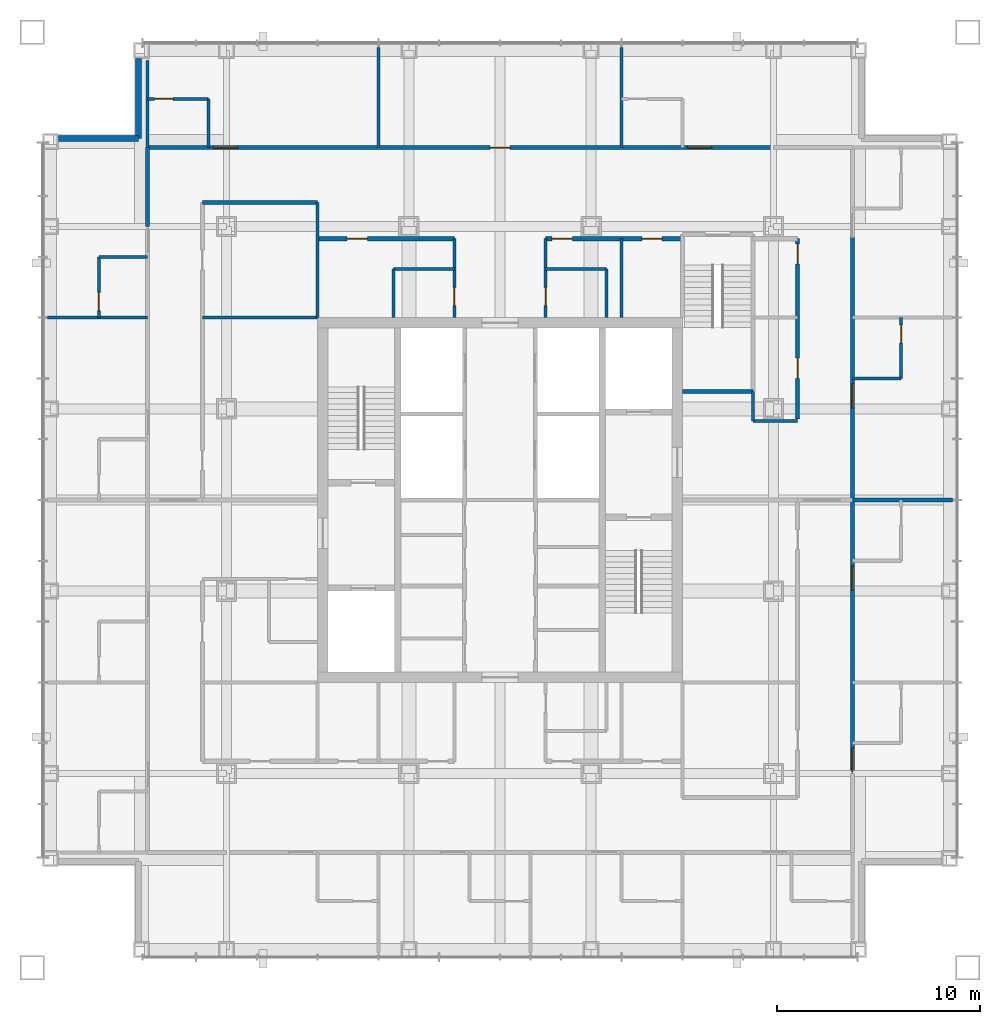
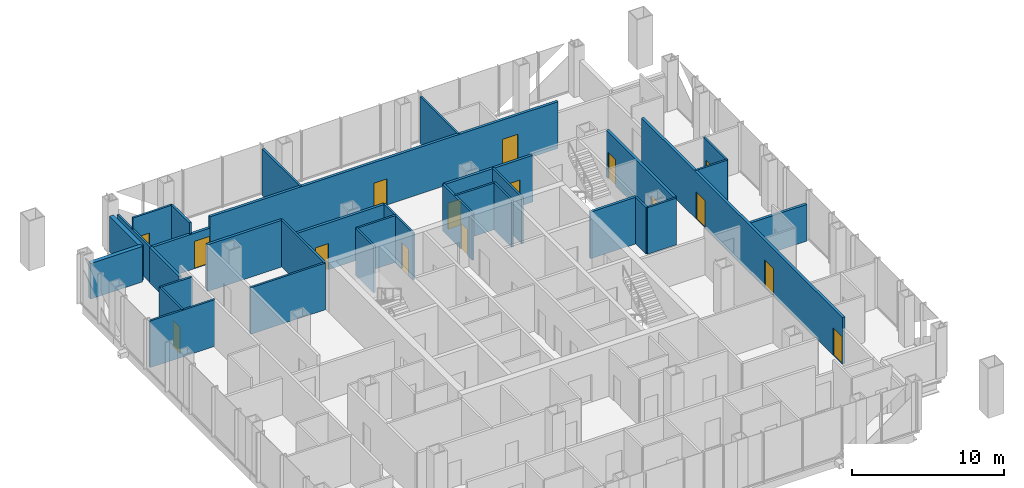
# One storey, part 9 of 11: 33 walls, 16 doors, 16 openings.
"""IFC4 building model written with IfcOpenShell, lengths in metres."""

import ifcopenshell
import ifcopenshell.guid

model = None  # the IFC model being written
_history = None  # IfcOwnerHistory: only IFC2X3 demands one
_inside = {}  # id of a spatial element -> (the spatial element, [elements in it])
_under = {}  # id of a project, library or spatial element -> (it, [spatial elements below it])
_declared = {}  # id of a project -> (the project, [libraries it declares])
_typed = {}  # id of a type object -> (the type object, [elements of that type])
_made_of = {}  # id of a material, layer set ... -> (it, [elements and type objects made of it])


def new_model(schema):
    """Start an empty IFC model of exactly this schema.

    Asked for "IFC4X3", IfcOpenShell would pick the latest addendum, in which some entities
    have other attributes; the version numbers below select the first issue.
    IFC2X3 requires an IfcOwnerHistory on every rooted entity: one is made here for all.
    """
    global model, _history
    if schema == "IFC4X3":
        model = ifcopenshell.file(schema_version=(4, 3, 0, 0))
    else:
        model = ifcopenshell.file(schema=schema)
    _inside.clear()
    _under.clear()
    _declared.clear()
    _typed.clear()
    _made_of.clear()
    _history = None
    if model.schema == "IFC2X3":
        org = make("IfcOrganization", Name="unknown")
        user = make(
            "IfcPersonAndOrganization",
            ThePerson=make("IfcPerson", FamilyName="unknown"),
            TheOrganization=org,
        )
        app = make(
            "IfcApplication",
            ApplicationDeveloper=org,
            Version="unknown",
            ApplicationFullName="unknown",
            ApplicationIdentifier="unknown",
        )
        _history = make(
            "IfcOwnerHistory",
            OwningUser=user,
            OwningApplication=app,
            ChangeAction="ADDED",
            CreationDate=0,
        )
    return model


def make(cls, **values):
    """One entity of the class cls with the attributes given. An attribute that is None is left unset."""
    return model.create_entity(
        cls, **{name: value for name, value in values.items() if value is not None}
    )


def rooted(cls, **values):
    """An entity with a GlobalId (a new one), such as an element, a storey or a relation."""
    return make(cls, GlobalId=ifcopenshell.guid.new(), OwnerHistory=_history, **values)


def si_unit(unit_type, name, prefix=None):
    """IfcSIUnit, for example si_unit("LENGTHUNIT", "METRE", prefix="MILLI")."""
    return make("IfcSIUnit", UnitType=unit_type, Prefix=prefix, Name=name)


def assignment(units):
    """IfcUnitAssignment: the units of a project."""
    return None if units is None else make("IfcUnitAssignment", Units=units)


def point(xyz):
    """IfcCartesianPoint."""
    return None if xyz is None else make("IfcCartesianPoint", Coordinates=xyz)


def direction(xyz):
    """IfcDirection."""
    return None if xyz is None else make("IfcDirection", DirectionRatios=xyz)


def frame(location, z_axis=None, x_axis=None):
    """IfcAxis2Placement3D, a coordinate frame: its origin and axes. An axis left out is left unset."""
    return make(
        "IfcAxis2Placement3D",
        Location=point(location),
        Axis=direction(z_axis),
        RefDirection=direction(x_axis),
    )


def frame_2d(location, x_axis=None):
    """IfcAxis2Placement2D, a coordinate frame in the plane: its origin and x axis."""
    return make(
        "IfcAxis2Placement2D", Location=point(location), RefDirection=direction(x_axis)
    )


def origin():
    """The frame at (0, 0, 0) with its axes left unset."""
    return frame((0.0, 0.0, 0.0))


def place(relative_to, where):
    """IfcLocalPlacement: puts the frame where relative to a parent placement (None: the world)."""
    return make(
        "IfcLocalPlacement", PlacementRelTo=relative_to, RelativePlacement=where
    )


def context(
    kind, dimensions, precision=None, world=None, true_north=None, identifier=None
):
    """IfcGeometricRepresentationContext, for example the 3D "Model" context."""
    return make(
        "IfcGeometricRepresentationContext",
        ContextIdentifier=identifier,
        ContextType=kind,
        CoordinateSpaceDimension=dimensions,
        Precision=precision,
        WorldCoordinateSystem=world,
        TrueNorth=true_north,
    )


def subcontext(parent, identifier, kind, view, scale=None):
    """IfcGeometricRepresentationSubContext, for example "Body" below "Model"."""
    return make(
        "IfcGeometricRepresentationSubContext",
        ContextIdentifier=identifier,
        ContextType=kind,
        ParentContext=parent,
        TargetScale=scale,
        TargetView=view,
    )


def project(units=None, contexts=None):
    """IfcProject with its units and contexts."""
    return rooted(
        "IfcProject",
        Name="project",
        RepresentationContexts=contexts,
        UnitsInContext=assignment(units),
    )


def spatial(cls, under=None, at=None, **own):
    """A site, building, storey or space (cls), placed at a placement, below another one or the project."""
    s = rooted(cls, ObjectPlacement=at, **own)
    if under is not None:
        _under.setdefault(under.id(), (under, []))[1].append(s)
    return s


def profile(cls, at=None, kind="AREA", **sizes):
    """A parametric profile (cls). Its sizes go by their IFC names, for example OverallWidth=200.0."""
    return make(cls, ProfileType=kind, Position=at, **sizes)


def rectangle(**sizes):
    """IfcRectangleProfileDef."""
    return profile("IfcRectangleProfileDef", **sizes)


def extrude(swept, where, along, depth):
    """IfcExtrudedAreaSolid: the profile swept, set in the frame where, extruded along a direction by depth."""
    return make(
        "IfcExtrudedAreaSolid",
        SweptArea=swept,
        Position=where,
        ExtrudedDirection=direction(along),
        Depth=depth,
    )


def shape(context_of_items, identifier, shape_type, items):
    """IfcShapeRepresentation: the items that make up one representation, for example the "Body"."""
    return make(
        "IfcShapeRepresentation",
        ContextOfItems=context_of_items,
        RepresentationIdentifier=identifier,
        RepresentationType=shape_type,
        Items=items,
    )


def material(Name=None, Category=None):
    """IfcMaterial."""
    return make("IfcMaterial", Name=Name, Category=Category)


def layer(
    of_material, thickness, ventilated=None, Name=None, Category=None, Priority=None
):
    """IfcMaterialLayer: one layer of a wall or slab, of a material (None: an air gap)."""
    return make(
        "IfcMaterialLayer",
        Material=of_material,
        LayerThickness=thickness,
        IsVentilated=ventilated,
        Name=Name,
        Category=Category,
        Priority=Priority,
    )


def layer_set(layers, Name=None):
    """IfcMaterialLayerSet."""
    return make("IfcMaterialLayerSet", MaterialLayers=layers, LayerSetName=Name)


def made_of(thing, what):
    """Note that an element or type object is made of a material, layer set ...; save() writes the relation."""
    if what is not None:
        _made_of.setdefault(what.id(), (what, []))[1].append(thing)
    return thing


def type_object(cls, material=None, **own):
    """A type object (cls), such as IfcWallType, which elements share."""
    return made_of(rooted(cls, **own), material)


def element(
    cls,
    number,
    at=None,
    inside=None,
    cuts=None,
    type_object=None,
    material=None,
    context=None,
    identifier="Body",
    shape_type=None,
    held_by="IfcProductDefinitionShape",
    body=None,
    shapes=None,
    **own,
):
    """One element of the class cls, such as IfcWall. Its Tag is "e" and its number.

    at: its placement. inside: the storey or other place that contains it. cuts: it is an
    opening in that element (IfcRelVoidsElement). A single representation is given by context,
    identifier, shape_type and body (its items); several are given by shapes. held_by: the class
    of the entity that holds the representations. save() writes the other relations.
    """
    e = rooted(cls, Tag="e%d" % number, ObjectPlacement=at, **own)
    if body is not None:
        shapes = [shape(context, identifier, shape_type, body)]
    if shapes is not None:
        e.Representation = make(held_by, Representations=shapes)
    if inside is not None:
        _inside.setdefault(inside.id(), (inside, []))[1].append(e)
    if cuts is not None:
        rooted(
            "IfcRelVoidsElement", RelatingBuildingElement=cuts, RelatedOpeningElement=e
        )
    if type_object is not None:
        _typed.setdefault(type_object.id(), (type_object, []))[1].append(e)
    return made_of(e, material)


def fill(opening, filler):
    """IfcRelFillsElement: the door or window that sits in an opening."""
    return rooted(
        "IfcRelFillsElement",
        RelatingOpeningElement=opening,
        RelatedBuildingElement=filler,
    )


def aggregate(whole, parts):
    """IfcRelAggregates: a whole, such as a stair, and the parts it consists of."""
    return rooted("IfcRelAggregates", RelatingObject=whole, RelatedObjects=parts)


def save(model, path):
    """Write the relations noted so far, then the file.

    IfcRelAggregates (storeys below a building ...), IfcRelContainedInSpatialStructure (elements
    in a storey), IfcRelDefinesByType, IfcRelAssociatesMaterial and IfcRelDeclares: one each for
    every whole, place, type object, material and project.
    """
    for whole, parts in _under.values():
        aggregate(whole, parts)
    for where, things in _inside.values():
        rooted(
            "IfcRelContainedInSpatialStructure",
            RelatedElements=things,
            RelatingStructure=where,
        )
    for kind, things in _typed.values():
        rooted("IfcRelDefinesByType", RelatedObjects=things, RelatingType=kind)
    for what, things in _made_of.values():
        rooted("IfcRelAssociatesMaterial", RelatedObjects=things, RelatingMaterial=what)
    for by, libraries in _declared.values():
        rooted("IfcRelDeclares", RelatingContext=by, RelatedDefinitions=libraries)
    model.write(path)


model = new_model("IFC4")

# Units and contexts
model_context = context("Model", 3, precision=1e-05, world=origin(), true_north=direction((0.0, 1.0)))
body_context = subcontext(model_context, "Body", "Model", "MODEL_VIEW")
ifc_project = project(units=[si_unit("LENGTHUNIT", "METRE"), si_unit("AREAUNIT", "SQUARE_METRE"), si_unit("VOLUMEUNIT", "CUBIC_METRE"), si_unit("PLANEANGLEUNIT", "RADIAN"), si_unit("MASSUNIT", "GRAM", prefix="KILO")], contexts=[model_context])

# Site, building, storey
site_placement = place(None, origin())
site = spatial("IfcSite", under=ifc_project, at=site_placement, CompositionType="ELEMENT")
building_placement = place(site_placement, origin())
building = spatial("IfcBuilding", under=site, at=building_placement, Name="Malebo Sky Hospital", CompositionType="ELEMENT")
storey_placement = place(building_placement, frame((0.0, 0.0, 201.0)))
storey = spatial("IfcBuildingStorey", under=building, at=storey_placement, Name="L48", CompositionType="ELEMENT", Elevation=201.0)

# Wall, opening, door
ifc_material_1 = material(Name="Gypsum board on steel studs", Category="steel")
ifc_layer_1 = layer(ifc_material_1, 0.199951171875)
ifc_layer_set_1 = layer_set([ifc_layer_1], Name="CORRIDOR WALL 200")
wall_type_1 = type_object("IfcWallType", Name="CORRIDOR WALL 200", PredefinedType="PARTITIONING", material=ifc_layer_set_1)
wall_1_placement = place(storey_placement, frame((42.60009765625, 79.39990234375, 0.0), z_axis=(0.0, 0.0, 1.0), x_axis=(1.0, 0.0, 0.0)))
wall_1 = element("IfcWall", 1, at=wall_1_placement, inside=storey, type_object=wall_type_1, Name="Corridor Wall 200 NCO", PredefinedType="PARTITIONING", context=body_context, shape_type="SweptSolid", body=[
    extrude(rectangle(XDim=4.449951171875, YDim=0.199951171875, at=frame_2d((2.22509765625, 0.0))), origin(), (0.0, 0.0, 1.0), 2.85009765625),
])
opening_1_placement = place(wall_1_placement, frame((3.25, 0.0, 0.0)))
opening_1 = element("IfcOpeningElement", 2, at=opening_1_placement, cuts=wall_1, Name="Opening D01", PredefinedType="OPENING", context=body_context, shape_type="SweptSolid", body=[
    extrude(rectangle(XDim=1.199951171875, YDim=2.199951171875, at=frame_2d((0.60009765625, 1.10009765625))), frame((0.0, 0.10986328125, 0.0), z_axis=(0.0, -1.0, 0.0), x_axis=(1.0, 0.0, 0.0)), (0.0, 0.0, 1.0), 0.219970703125),
])
ifc_material_2 = material(Name="Hardwood-faced door leaf in steel frame", Category="steel")
door_type_1 = type_object("IfcDoorType", Name="BED DOOR 1200", OperationType="SINGLE_SWING_LEFT", PredefinedType="DOOR", material=ifc_material_2)
door_1_placement = place(opening_1_placement, origin())
door_1 = element("IfcDoor", 3, at=door_1_placement, inside=storey, type_object=door_type_1, Name="Birthing room door", OperationType="SINGLE_SWING_LEFT", OverallHeight=2.199951171875, OverallWidth=1.199951171875, PredefinedType="DOOR", context=body_context, shape_type="SweptSolid", body=[
    extrude(rectangle(XDim=1.199951171875, YDim=2.199951171875, at=frame_2d((0.60009765625, 1.10009765625))), frame((0.0, 0.02490234375, 0.0), z_axis=(0.0, -1.0, 0.0), x_axis=(1.0, 0.0, 0.0)), (0.0, 0.0, 1.0), 0.050048828125),
])
fill(opening_1, door_1)

# Wall, openings, doors
wall_2_placement = place(storey_placement, frame((47.050048828125, 79.39990234375, 0.0), z_axis=(0.0, 0.0, 1.0), x_axis=(1.0, 0.0, 0.0)))
wall_2 = element("IfcWall", 4, at=wall_2_placement, inside=storey, type_object=wall_type_1, Name="Corridor Wall 200 NCO", PredefinedType="PARTITIONING", context=body_context, shape_type="SweptSolid", body=[
    extrude(rectangle(XDim=26.449951171875, YDim=0.199951171875, at=frame_2d((13.22509765625, 0.0))), origin(), (0.0, 0.0, 1.0), 3.75),
])
opening_2_placement = place(wall_2_placement, frame((12.449951171875, 0.0, 0.0)))
opening_2 = element("IfcOpeningElement", 5, at=opening_2_placement, cuts=wall_2, Name="Opening D03", PredefinedType="OPENING", context=body_context, shape_type="SweptSolid", body=[
    extrude(rectangle(XDim=1.0, YDim=2.10009765625, at=frame_2d((0.5, 1.050048828125))), frame((0.0, 0.10986328125, 0.0), z_axis=(0.0, -1.0, 0.0), x_axis=(1.0, 0.0, 0.0)), (0.0, 0.0, 1.0), 0.219970703125),
])
opening_3_placement = place(wall_2_placement, frame((22.199951171875, 0.0, 0.0)))
opening_3 = element("IfcOpeningElement", 6, at=opening_3_placement, cuts=wall_2, Name="Opening D01", PredefinedType="OPENING", context=body_context, shape_type="SweptSolid", body=[
    extrude(rectangle(XDim=1.199951171875, YDim=2.199951171875, at=frame_2d((0.60009765625, 1.10009765625))), frame((0.0, 0.10986328125, 0.0), z_axis=(0.0, -1.0, 0.0), x_axis=(1.0, 0.0, 0.0)), (0.0, 0.0, 1.0), 0.219970703125),
])
door_2_placement = place(opening_3_placement, origin())
door_2 = element("IfcDoor", 7, at=door_2_placement, inside=storey, type_object=door_type_1, Name="Birthing room door", OperationType="SINGLE_SWING_LEFT", OverallHeight=2.199951171875, OverallWidth=1.199951171875, PredefinedType="DOOR", context=body_context, shape_type="SweptSolid", body=[
    extrude(rectangle(XDim=1.199951171875, YDim=2.199951171875, at=frame_2d((0.60009765625, 1.10009765625))), frame((0.0, 0.02490234375, 0.0), z_axis=(0.0, -1.0, 0.0), x_axis=(1.0, 0.0, 0.0)), (0.0, 0.0, 1.0), 0.050048828125),
])
fill(opening_3, door_2)
door_type_2 = type_object("IfcDoorType", Name="ROOM DOOR 1000", OperationType="SINGLE_SWING_LEFT", PredefinedType="DOOR", material=ifc_material_2)
door_3_placement = place(opening_2_placement, origin())
door_3 = element("IfcDoor", 8, at=door_3_placement, inside=storey, type_object=door_type_2, Name="Patient lounge door", OperationType="SINGLE_SWING_LEFT", OverallHeight=2.10009765625, OverallWidth=1.0, PredefinedType="DOOR", context=body_context, shape_type="SweptSolid", body=[
    extrude(rectangle(XDim=1.0, YDim=2.10009765625, at=frame_2d((0.5, 1.050048828125))), frame((0.0, 0.02490234375, 0.0), z_axis=(0.0, -1.0, 0.0), x_axis=(1.0, 0.0, 0.0)), (0.0, 0.0, 1.0), 0.050048828125),
])
fill(opening_2, door_3)

# Wall
wall_3_placement = place(storey_placement, frame((45.300048828125, 76.699951171875, 0.0), z_axis=(0.0, 0.0, 1.0), x_axis=(1.0, 0.0, 0.0)))
element("IfcWall", 9, at=wall_3_placement, inside=storey, type_object=wall_type_1, Name="Corridor Wall 200 NCIK", PredefinedType="PARTITIONING", context=body_context, shape_type="SweptSolid", body=[
    extrude(rectangle(XDim=5.699951171875, YDim=0.199951171875, at=frame_2d((2.85009765625, 0.0))), origin(), (0.0, 0.0, 1.0), 3.75),
])

# Wall, opening, door
wall_4_placement = place(storey_placement, frame((51.0, 74.89990234375, 0.0), z_axis=(0.0, 0.0, 1.0), x_axis=(1.0, 0.0, 0.0)))
wall_4 = element("IfcWall", 10, at=wall_4_placement, inside=storey, type_object=wall_type_1, Name="Corridor Wall 200 NCI1", PredefinedType="PARTITIONING", context=body_context, shape_type="SweptSolid", body=[
    extrude(rectangle(XDim=6.75, YDim=0.199951171875, at=frame_2d((3.375, 0.0))), origin(), (0.0, 0.0, 1.0), 3.75),
])
opening_4_placement = place(wall_4_placement, frame((1.449951171875, 0.0, 0.0)))
opening_4 = element("IfcOpeningElement", 11, at=opening_4_placement, cuts=wall_4, Name="Opening D03", PredefinedType="OPENING", context=body_context, shape_type="SweptSolid", body=[
    extrude(rectangle(XDim=1.0, YDim=2.10009765625, at=frame_2d((0.5, 1.050048828125))), frame((0.0, 0.10986328125, 0.0), z_axis=(0.0, -1.0, 0.0), x_axis=(1.0, 0.0, 0.0)), (0.0, 0.0, 1.0), 0.219970703125),
])
door_4_placement = place(opening_4_placement, origin())
door_4 = element("IfcDoor", 12, at=door_4_placement, inside=storey, type_object=door_type_2, Name="Neonatal resuscitation room door", OperationType="SINGLE_SWING_LEFT", OverallHeight=2.10009765625, OverallWidth=1.0, PredefinedType="DOOR", context=body_context, shape_type="SweptSolid", body=[
    extrude(rectangle(XDim=1.0, YDim=2.10009765625, at=frame_2d((0.5, 1.050048828125))), frame((0.0, 0.02490234375, 0.0), z_axis=(0.0, -1.0, 0.0), x_axis=(1.0, 0.0, 0.0)), (0.0, 0.0, 1.0), 0.050048828125),
])
fill(opening_4, door_4)

# Wall, openings, doors
wall_5_placement = place(storey_placement, frame((62.25, 74.89990234375, 0.0), z_axis=(0.0, 0.0, 1.0), x_axis=(1.0, 0.0, 0.0)))
wall_5 = element("IfcWall", 13, at=wall_5_placement, inside=storey, type_object=wall_type_1, Name="Corridor Wall 200 NCI2", PredefinedType="PARTITIONING", context=body_context, shape_type="SweptSolid", body=[
    extrude(rectangle(XDim=6.75, YDim=0.199951171875, at=frame_2d((3.375, 0.0))), origin(), (0.0, 0.0, 1.0), 3.75),
])
opening_5_placement = place(wall_5_placement, frame((0.324951171875, 0.0, 0.0)))
opening_5 = element("IfcOpeningElement", 14, at=opening_5_placement, cuts=wall_5, Name="Opening D03", PredefinedType="OPENING", context=body_context, shape_type="SweptSolid", body=[
    extrude(rectangle(XDim=1.0, YDim=2.10009765625, at=frame_2d((0.5, 1.050048828125))), frame((0.0, 0.10986328125, 0.0), z_axis=(0.0, -1.0, 0.0), x_axis=(1.0, 0.0, 0.0)), (0.0, 0.0, 1.0), 0.219970703125),
])
opening_6_placement = place(wall_5_placement, frame((4.75, 0.0, 0.0)))
opening_6 = element("IfcOpeningElement", 15, at=opening_6_placement, cuts=wall_5, Name="Opening D03", PredefinedType="OPENING", context=body_context, shape_type="SweptSolid", body=[
    extrude(rectangle(XDim=1.0, YDim=2.10009765625, at=frame_2d((0.5, 1.050048828125))), frame((0.0, 0.10986328125, 0.0), z_axis=(0.0, -1.0, 0.0), x_axis=(1.0, 0.0, 0.0)), (0.0, 0.0, 1.0), 0.219970703125),
])
door_5_placement = place(opening_5_placement, origin())
door_5 = element("IfcDoor", 16, at=door_5_placement, inside=storey, type_object=door_type_2, Name="Medication room door", OperationType="SINGLE_SWING_LEFT", OverallHeight=2.10009765625, OverallWidth=1.0, PredefinedType="DOOR", context=body_context, shape_type="SweptSolid", body=[
    extrude(rectangle(XDim=1.0, YDim=2.10009765625, at=frame_2d((0.5, 1.050048828125))), frame((0.0, 0.02490234375, 0.0), z_axis=(0.0, -1.0, 0.0), x_axis=(1.0, 0.0, 0.0)), (0.0, 0.0, 1.0), 0.050048828125),
])
fill(opening_5, door_5)
door_6_placement = place(opening_6_placement, origin())
door_6 = element("IfcDoor", 17, at=door_6_placement, inside=storey, type_object=door_type_2, Name="Dirty utility room door", OperationType="SINGLE_SWING_RIGHT", OverallHeight=2.10009765625, OverallWidth=1.0, PredefinedType="DOOR", context=body_context, shape_type="SweptSolid", body=[
    extrude(rectangle(XDim=1.0, YDim=2.10009765625, at=frame_2d((0.5, 1.050048828125))), frame((0.0, 0.02490234375, 0.0), z_axis=(0.0, -1.0, 0.0), x_axis=(1.0, 0.0, 0.0)), (0.0, 0.0, 1.0), 0.050048828125),
])
fill(opening_6, door_6)

# Wall
wall_6_placement = place(storey_placement, frame((42.60009765625, 75.5, 0.0), z_axis=(0.0, 0.0, 1.0), x_axis=(0.0, 1.0, 0.0)))
element("IfcWall", 18, at=wall_6_placement, inside=storey, type_object=wall_type_1, Name="Corridor Wall 200 WCO", PredefinedType="PARTITIONING", context=body_context, shape_type="SweptSolid", body=[
    extrude(rectangle(XDim=3.89990234375, YDim=0.199951171875, at=frame_2d((1.949951171875, 0.0))), origin(), (0.0, 0.0, 1.0), 2.85009765625),
])

# Wall, openings, doors
wall_7_placement = place(storey_placement, frame((77.39990234375, 74.949951171875, 0.0), z_axis=(0.0, 0.0, 1.0), x_axis=(0.0, -1.0, 0.0)))
wall_7 = element("IfcWall", 19, at=wall_7_placement, inside=storey, type_object=wall_type_1, Name="Corridor Wall 200 ECO", PredefinedType="PARTITIONING", context=body_context, shape_type="SweptSolid", body=[
    extrude(rectangle(XDim=26.449951171875, YDim=0.199951171875, at=frame_2d((13.22509765625, 0.0))), origin(), (0.0, 0.0, 1.0), 3.75),
])
opening_7_placement = place(wall_7_placement, frame((7.199951171875, 0.0, 0.0)))
opening_7 = element("IfcOpeningElement", 20, at=opening_7_placement, cuts=wall_7, Name="Opening D01", PredefinedType="OPENING", context=body_context, shape_type="SweptSolid", body=[
    extrude(rectangle(XDim=1.199951171875, YDim=2.199951171875, at=frame_2d((0.60009765625, 1.10009765625))), frame((0.0, 0.10986328125, 0.0), z_axis=(0.0, -1.0, 0.0), x_axis=(1.0, 0.0, 0.0)), (0.0, 0.0, 1.0), 0.219970703125),
])
opening_8_placement = place(wall_7_placement, frame((16.199951171875, 0.0, 0.0)))
opening_8 = element("IfcOpeningElement", 21, at=opening_8_placement, cuts=wall_7, Name="Opening D01", PredefinedType="OPENING", context=body_context, shape_type="SweptSolid", body=[
    extrude(rectangle(XDim=1.199951171875, YDim=2.199951171875, at=frame_2d((0.60009765625, 1.10009765625))), frame((0.0, 0.10986328125, 0.0), z_axis=(0.0, -1.0, 0.0), x_axis=(1.0, 0.0, 0.0)), (0.0, 0.0, 1.0), 0.219970703125),
])
opening_9_placement = place(wall_7_placement, frame((25.199951171875, 0.0, 0.0)))
opening_9 = element("IfcOpeningElement", 22, at=opening_9_placement, cuts=wall_7, Name="Opening D01", PredefinedType="OPENING", context=body_context, shape_type="SweptSolid", body=[
    extrude(rectangle(XDim=1.199951171875, YDim=2.199951171875, at=frame_2d((0.60009765625, 1.10009765625))), frame((0.0, 0.10986328125, 0.0), z_axis=(0.0, -1.0, 0.0), x_axis=(1.0, 0.0, 0.0)), (0.0, 0.0, 1.0), 0.219970703125),
])
door_7_placement = place(opening_7_placement, origin())
door_7 = element("IfcDoor", 23, at=door_7_placement, inside=storey, type_object=door_type_1, Name="Birthing room door", OperationType="SINGLE_SWING_LEFT", OverallHeight=2.199951171875, OverallWidth=1.199951171875, PredefinedType="DOOR", context=body_context, shape_type="SweptSolid", body=[
    extrude(rectangle(XDim=1.199951171875, YDim=2.199951171875, at=frame_2d((0.60009765625, 1.10009765625))), frame((0.0, 0.02490234375, 0.0), z_axis=(0.0, -1.0, 0.0), x_axis=(1.0, 0.0, 0.0)), (0.0, 0.0, 1.0), 0.050048828125),
])
fill(opening_7, door_7)
door_8_placement = place(opening_8_placement, origin())
door_8 = element("IfcDoor", 24, at=door_8_placement, inside=storey, type_object=door_type_1, Name="Birthing room door", OperationType="SINGLE_SWING_LEFT", OverallHeight=2.199951171875, OverallWidth=1.199951171875, PredefinedType="DOOR", context=body_context, shape_type="SweptSolid", body=[
    extrude(rectangle(XDim=1.199951171875, YDim=2.199951171875, at=frame_2d((0.60009765625, 1.10009765625))), frame((0.0, 0.02490234375, 0.0), z_axis=(0.0, -1.0, 0.0), x_axis=(1.0, 0.0, 0.0)), (0.0, 0.0, 1.0), 0.050048828125),
])
fill(opening_8, door_8)
door_9_placement = place(opening_9_placement, origin())
door_9 = element("IfcDoor", 25, at=door_9_placement, inside=storey, type_object=door_type_1, Name="Birthing room door", OperationType="SINGLE_SWING_LEFT", OverallHeight=2.199951171875, OverallWidth=1.199951171875, PredefinedType="DOOR", context=body_context, shape_type="SweptSolid", body=[
    extrude(rectangle(XDim=1.199951171875, YDim=2.199951171875, at=frame_2d((0.60009765625, 1.10009765625))), frame((0.0, 0.02490234375, 0.0), z_axis=(0.0, -1.0, 0.0), x_axis=(1.0, 0.0, 0.0)), (0.0, 0.0, 1.0), 0.050048828125),
])
fill(opening_9, door_9)

wall_8_placement = place(storey_placement, frame((74.699951171875, 74.89990234375, 0.0), z_axis=(0.0, 0.0, 1.0), x_axis=(0.0, -1.0, 0.0)))
wall_8 = element("IfcWall", 26, at=wall_8_placement, inside=storey, type_object=wall_type_1, Name="Corridor Wall 200 ECI1", PredefinedType="PARTITIONING", context=body_context, shape_type="SweptSolid", body=[
    extrude(rectangle(XDim=8.89990234375, YDim=0.199951171875, at=frame_2d((4.449951171875, 0.0))), origin(), (0.0, 0.0, 1.0), 3.75),
])
opening_10_placement = place(wall_8_placement, frame((0.25, 0.0, 0.0)))
opening_10 = element("IfcOpeningElement", 27, at=opening_10_placement, cuts=wall_8, Name="Opening D03", PredefinedType="OPENING", context=body_context, shape_type="SweptSolid", body=[
    extrude(rectangle(XDim=1.0, YDim=2.10009765625, at=frame_2d((0.5, 1.050048828125))), frame((0.0, 0.10986328125, 0.0), z_axis=(0.0, -1.0, 0.0), x_axis=(1.0, 0.0, 0.0)), (0.0, 0.0, 1.0), 0.219970703125),
])
opening_11_placement = place(wall_8_placement, frame((5.89990234375, 0.0, 0.0)))
opening_11 = element("IfcOpeningElement", 28, at=opening_11_placement, cuts=wall_8, Name="Opening D03", PredefinedType="OPENING", context=body_context, shape_type="SweptSolid", body=[
    extrude(rectangle(XDim=1.0, YDim=2.10009765625, at=frame_2d((0.5, 1.050048828125))), frame((0.0, 0.10986328125, 0.0), z_axis=(0.0, -1.0, 0.0), x_axis=(1.0, 0.0, 0.0)), (0.0, 0.0, 1.0), 0.219970703125),
])
door_10_placement = place(opening_10_placement, origin())
door_10 = element("IfcDoor", 29, at=door_10_placement, inside=storey, type_object=door_type_2, Name="Treatment room door", OperationType="SINGLE_SWING_LEFT", OverallHeight=2.10009765625, OverallWidth=1.0, PredefinedType="DOOR", context=body_context, shape_type="SweptSolid", body=[
    extrude(rectangle(XDim=1.0, YDim=2.10009765625, at=frame_2d((0.5, 1.050048828125))), frame((0.0, 0.02490234375, 0.0), z_axis=(0.0, -1.0, 0.0), x_axis=(1.0, 0.0, 0.0)), (0.0, 0.0, 1.0), 0.050048828125),
])
fill(opening_10, door_10)
door_11_placement = place(opening_11_placement, origin())
door_11 = element("IfcDoor", 30, at=door_11_placement, inside=storey, type_object=door_type_2, Name="Interview room door", OperationType="SINGLE_SWING_LEFT", OverallHeight=2.10009765625, OverallWidth=1.0, PredefinedType="DOOR", context=body_context, shape_type="SweptSolid", body=[
    extrude(rectangle(XDim=1.0, YDim=2.10009765625, at=frame_2d((0.5, 1.050048828125))), frame((0.0, 0.02490234375, 0.0), z_axis=(0.0, -1.0, 0.0), x_axis=(1.0, 0.0, 0.0)), (0.0, 0.0, 1.0), 0.050048828125),
])
fill(opening_11, door_11)

# Walls
ifc_material_3 = material(Name="Anodised aluminium rainscreen on steel framing", Category="steel")
ifc_layer_2 = layer(ifc_material_3, 0.300048828125)
ifc_layer_set_2 = layer_set([ifc_layer_2], Name="NOTCH RAINSCREEN WALL 300")
wall_type_2 = type_object("IfcWallType", Name="NOTCH RAINSCREEN WALL 300", PredefinedType="ELEMENTEDWALL", material=ifc_layer_set_2)
for number, where, z_axis, x_axis, name in (
    (31, (38.199951171875, 79.85009765625, 0.0), (0.0, 0.0, 1.0), (1.0, 0.0, 0.0), "Notch rainscreen wall W1 L48"),
    (32, (42.14990234375, 79.85009765625, 0.0), (0.0, 0.0, 1.0), (0.0, 1.0, 0.0), "Notch rainscreen wall W2 L48"),
):
    element("IfcWall", number, at=place(storey_placement, frame(where, z_axis=z_axis, x_axis=x_axis)), inside=storey, type_object=wall_type_2, Name=name, PredefinedType="ELEMENTEDWALL", context=body_context, shape_type="SweptSolid", body=[
        extrude(rectangle(XDim=3.949951171875, YDim=0.300048828125, at=frame_2d((1.97509765625, 0.0))), origin(), (0.0, 0.0, 1.0), 2.85009765625),
    ])
ifc_layer_3 = layer(ifc_material_1, 0.14990234375)
ifc_layer_set_3 = layer_set([ifc_layer_3], Name="PARTITION 150")
wall_type_3 = type_object("IfcWallType", Name="PARTITION 150", PredefinedType="PARTITIONING", material=ifc_layer_set_3)
for number, where, z_axis, x_axis, name in (
    (33, (54.0, 79.39990234375, 0.0), (0.0, 0.0, 1.0), (0.0, 1.0, 0.0), "Partition 150 NP-6.0"),
    (34, (66.0, 79.39990234375, 0.0), (0.0, 0.0, 1.0), (0.0, 1.0, 0.0), "Partition 150 NP+6.0"),
):
    element("IfcWall", number, at=place(storey_placement, frame(where, z_axis=z_axis, x_axis=x_axis)), inside=storey, type_object=wall_type_3, Name=name, PredefinedType="PARTITIONING", context=body_context, shape_type="SweptSolid", body=[
        extrude(rectangle(XDim=4.9501953125, YDim=0.14990234375, at=frame_2d((2.47509765625, 0.0))), origin(), (0.0, 0.0, 1.0), 3.75),
    ])
wall_9_placement = place(storey_placement, frame((42.60009765625, 79.39990234375, 0.0), z_axis=(0.0, 0.0, 1.0), x_axis=(0.0, 1.0, 0.0)))
element("IfcWall", 35, at=wall_9_placement, inside=storey, type_object=wall_type_3, Name="Partition 150 NP0", PredefinedType="PARTITIONING", context=body_context, shape_type="SweptSolid", body=[
    extrude(rectangle(XDim=4.300048828125, YDim=0.14990234375, at=frame_2d((2.14990234375, 0.0))), origin(), (0.0, 0.0, 1.0), 2.85009765625),
])

# Wall, opening, door
wall_10_placement = place(storey_placement, frame((42.60009765625, 81.800048828125, 0.0), z_axis=(0.0, 0.0, 1.0), x_axis=(1.0, 0.0, 0.0)))
wall_10 = element("IfcWall", 36, at=wall_10_placement, inside=storey, type_object=wall_type_3, Name="Partition 150 NE0F", PredefinedType="PARTITIONING", context=body_context, shape_type="SweptSolid", body=[
    extrude(rectangle(XDim=3.0, YDim=0.14990234375, at=frame_2d((1.5, 0.0))), origin(), (0.0, 0.0, 1.0), 3.75),
])
opening_12_placement = place(wall_10_placement, frame((0.35009765625, 0.0, 0.0)))
opening_12 = element("IfcOpeningElement", 37, at=opening_12_placement, cuts=wall_10, Name="Opening D02", PredefinedType="OPENING", context=body_context, shape_type="SweptSolid", body=[
    extrude(rectangle(XDim=0.89990234375, YDim=2.10009765625, at=frame_2d((0.449951171875, 1.050048828125))), frame((0.0, 0.0849609375, 0.0), z_axis=(0.0, -1.0, 0.0), x_axis=(1.0, 0.0, 0.0)), (0.0, 0.0, 1.0), 0.169921875),
])
door_type_3 = type_object("IfcDoorType", Name="EN-SUITE DOOR 900", OperationType="SINGLE_SWING_LEFT", PredefinedType="DOOR", material=ifc_material_2)
door_12_placement = place(opening_12_placement, origin())
door_12 = element("IfcDoor", 38, at=door_12_placement, inside=storey, type_object=door_type_3, Name="En-suite door", OperationType="SINGLE_SWING_LEFT", OverallHeight=2.10009765625, OverallWidth=0.89990234375, PredefinedType="DOOR", context=body_context, shape_type="SweptSolid", body=[
    extrude(rectangle(XDim=0.89990234375, YDim=2.10009765625, at=frame_2d((0.449951171875, 1.050048828125))), frame((0.0, 0.02490234375, 0.0), z_axis=(0.0, -1.0, 0.0), x_axis=(1.0, 0.0, 0.0)), (0.0, 0.0, 1.0), 0.050048828125),
])
fill(opening_12, door_12)

# Walls
wall_11_placement = place(storey_placement, frame((45.60009765625, 79.39990234375, 0.0), z_axis=(0.0, 0.0, 1.0), x_axis=(0.0, 1.0, 0.0)))
element("IfcWall", 39, at=wall_11_placement, inside=storey, type_object=wall_type_3, Name="Partition 150 NE0S", PredefinedType="PARTITIONING", context=body_context, shape_type="SweptSolid", body=[
    extrude(rectangle(XDim=2.400146484375, YDim=0.14990234375, at=frame_2d((1.2001953125, 0.0))), origin(), (0.0, 0.0, 1.0), 3.75),
])
wall_12_placement = place(storey_placement, frame((51.0, 71.0, 0.0), z_axis=(0.0, 0.0, 1.0), x_axis=(0.0, 1.0, 0.0)))
element("IfcWall", 40, at=wall_12_placement, inside=storey, type_object=wall_type_3, Name="Partition 150 NSP0", PredefinedType="PARTITIONING", context=body_context, shape_type="SweptSolid", body=[
    extrude(rectangle(XDim=5.699951171875, YDim=0.14990234375, at=frame_2d((2.85009765625, 0.0))), origin(), (0.0, 0.0, 1.0), 3.75),
])

# Wall, opening, door
wall_13_placement = place(storey_placement, frame((57.75, 71.0, 0.0), z_axis=(0.0, 0.0, 1.0), x_axis=(0.0, 1.0, 0.0)))
wall_13 = element("IfcWall", 41, at=wall_13_placement, inside=storey, type_object=wall_type_3, Name="Partition 150 NSPA", PredefinedType="PARTITIONING", context=body_context, shape_type="SweptSolid", body=[
    extrude(rectangle(XDim=3.89990234375, YDim=0.14990234375, at=frame_2d((1.949951171875, 0.0))), origin(), (0.0, 0.0, 1.0), 3.75),
])
opening_13_placement = place(wall_13_placement, frame((0.60009765625, 0.0, 0.0)))
opening_13 = element("IfcOpeningElement", 42, at=opening_13_placement, cuts=wall_13, Name="Opening D04", PredefinedType="OPENING", context=body_context, shape_type="SweptSolid", body=[
    extrude(rectangle(XDim=0.89990234375, YDim=2.10009765625, at=frame_2d((0.449951171875, 1.050048828125))), frame((0.0, 0.0849609375, 0.0), z_axis=(0.0, -1.0, 0.0), x_axis=(1.0, 0.0, 0.0)), (0.0, 0.0, 1.0), 0.169921875),
])
door_type_4 = type_object("IfcDoorType", Name="ROOM DOOR 900", OperationType="SINGLE_SWING_LEFT", PredefinedType="DOOR", material=ifc_material_2)
door_13_placement = place(opening_13_placement, origin())
door_13 = element("IfcDoor", 43, at=door_13_placement, inside=storey, type_object=door_type_4, Name="Staff WC door", OperationType="SINGLE_SWING_LEFT", OverallHeight=2.10009765625, OverallWidth=0.89990234375, PredefinedType="DOOR", context=body_context, shape_type="SweptSolid", body=[
    extrude(rectangle(XDim=0.89990234375, YDim=2.10009765625, at=frame_2d((0.449951171875, 1.050048828125))), frame((0.0, 0.02490234375, 0.0), z_axis=(0.0, -1.0, 0.0), x_axis=(1.0, 0.0, 0.0)), (0.0, 0.0, 1.0), 0.050048828125),
])
fill(opening_13, door_13)

wall_14_placement = place(storey_placement, frame((62.25, 71.0, 0.0), z_axis=(0.0, 0.0, 1.0), x_axis=(0.0, 1.0, 0.0)))
wall_14 = element("IfcWall", 44, at=wall_14_placement, inside=storey, type_object=wall_type_3, Name="Partition 150 NSPB", PredefinedType="PARTITIONING", context=body_context, shape_type="SweptSolid", body=[
    extrude(rectangle(XDim=3.89990234375, YDim=0.14990234375, at=frame_2d((1.949951171875, 0.0))), origin(), (0.0, 0.0, 1.0), 3.75),
])
opening_14_placement = place(wall_14_placement, frame((0.60009765625, 0.0, 0.0)))
opening_14 = element("IfcOpeningElement", 45, at=opening_14_placement, cuts=wall_14, Name="Opening D04", PredefinedType="OPENING", context=body_context, shape_type="SweptSolid", body=[
    extrude(rectangle(XDim=0.89990234375, YDim=2.10009765625, at=frame_2d((0.449951171875, 1.050048828125))), frame((0.0, 0.0849609375, 0.0), z_axis=(0.0, -1.0, 0.0), x_axis=(1.0, 0.0, 0.0)), (0.0, 0.0, 1.0), 0.169921875),
])
door_14_placement = place(opening_14_placement, origin())
door_14 = element("IfcDoor", 46, at=door_14_placement, inside=storey, type_object=door_type_4, Name="Accessible WC door", OperationType="SINGLE_SWING_LEFT", OverallHeight=2.10009765625, OverallWidth=0.89990234375, PredefinedType="DOOR", context=body_context, shape_type="SweptSolid", body=[
    extrude(rectangle(XDim=0.89990234375, YDim=2.10009765625, at=frame_2d((0.449951171875, 1.050048828125))), frame((0.0, 0.02490234375, 0.0), z_axis=(0.0, -1.0, 0.0), x_axis=(1.0, 0.0, 0.0)), (0.0, 0.0, 1.0), 0.050048828125),
])
fill(opening_14, door_14)

# Walls
wall_15_placement = place(storey_placement, frame((66.0, 71.0, 0.0), z_axis=(0.0, 0.0, 1.0), x_axis=(0.0, 1.0, 0.0)))
element("IfcWall", 47, at=wall_15_placement, inside=storey, type_object=wall_type_3, Name="Partition 150 NSP+6.0", PredefinedType="PARTITIONING", context=body_context, shape_type="SweptSolid", body=[
    extrude(rectangle(XDim=3.89990234375, YDim=0.14990234375, at=frame_2d((1.949951171875, 0.0))), origin(), (0.0, 0.0, 1.0), 3.75),
])
wall_16_placement = place(storey_placement, frame((54.75, 73.39990234375, 0.0), z_axis=(0.0, 0.0, 1.0), x_axis=(1.0, 0.0, 0.0)))
element("IfcWall", 48, at=wall_16_placement, inside=storey, type_object=wall_type_3, Name="Partition 150 NSX0", PredefinedType="PARTITIONING", context=body_context, shape_type="SweptSolid", body=[
    extrude(rectangle(XDim=3.0, YDim=0.14990234375, at=frame_2d((1.5, 0.0))), origin(), (0.0, 0.0, 1.0), 3.75),
])
wall_17_placement = place(storey_placement, frame((54.75, 71.0, 0.0), z_axis=(0.0, 0.0, 1.0), x_axis=(0.0, 1.0, 0.0)))
element("IfcWall", 49, at=wall_17_placement, inside=storey, type_object=wall_type_3, Name="Partition 150 NSY0", PredefinedType="PARTITIONING", context=body_context, shape_type="SweptSolid", body=[
    extrude(rectangle(XDim=2.39990234375, YDim=0.14990234375, at=frame_2d((1.199951171875, 0.0))), origin(), (0.0, 0.0, 1.0), 3.75),
])
wall_18_placement = place(storey_placement, frame((62.25, 73.39990234375, 0.0), z_axis=(0.0, 0.0, 1.0), x_axis=(1.0, 0.0, 0.0)))
element("IfcWall", 50, at=wall_18_placement, inside=storey, type_object=wall_type_3, Name="Partition 150 NSX1", PredefinedType="PARTITIONING", context=body_context, shape_type="SweptSolid", body=[
    extrude(rectangle(XDim=3.0, YDim=0.14990234375, at=frame_2d((1.5, 0.0))), origin(), (0.0, 0.0, 1.0), 3.75),
])
wall_19_placement = place(storey_placement, frame((65.25, 71.0, 0.0), z_axis=(0.0, 0.0, 1.0), x_axis=(0.0, 1.0, 0.0)))
element("IfcWall", 51, at=wall_19_placement, inside=storey, type_object=wall_type_3, Name="Partition 150 NSY1", PredefinedType="PARTITIONING", context=body_context, shape_type="SweptSolid", body=[
    extrude(rectangle(XDim=2.39990234375, YDim=0.14990234375, at=frame_2d((1.199951171875, 0.0))), origin(), (0.0, 0.0, 1.0), 3.75),
])
wall_20_placement = place(storey_placement, frame((42.60009765625, 71.0, 0.0), z_axis=(0.0, 0.0, 1.0), x_axis=(-1.0, 0.0, 0.0)))
element("IfcWall", 52, at=wall_20_placement, inside=storey, type_object=wall_type_3, Name="Partition 150 WP+9.0", PredefinedType="PARTITIONING", context=body_context, shape_type="SweptSolid", body=[
    extrude(rectangle(XDim=4.9501953125, YDim=0.14990234375, at=frame_2d((2.47509765625, 0.0))), origin(), (0.0, 0.0, 1.0), 3.75),
])

# Wall, opening, door
wall_21_placement = place(storey_placement, frame((40.199951171875, 71.0, 0.0), z_axis=(0.0, 0.0, 1.0), x_axis=(0.0, 1.0, 0.0)))
wall_21 = element("IfcWall", 53, at=wall_21_placement, inside=storey, type_object=wall_type_3, Name="Partition 150 WE3F", PredefinedType="PARTITIONING", context=body_context, shape_type="SweptSolid", body=[
    extrude(rectangle(XDim=3.0, YDim=0.14990234375, at=frame_2d((1.5, 0.0))), origin(), (0.0, 0.0, 1.0), 3.75),
])
opening_15_placement = place(wall_21_placement, frame((0.35009765625, 0.0, 0.0)))
opening_15 = element("IfcOpeningElement", 54, at=opening_15_placement, cuts=wall_21, Name="Opening D02", PredefinedType="OPENING", context=body_context, shape_type="SweptSolid", body=[
    extrude(rectangle(XDim=0.89990234375, YDim=2.10009765625, at=frame_2d((0.449951171875, 1.050048828125))), frame((0.0, 0.0849609375, 0.0), z_axis=(0.0, -1.0, 0.0), x_axis=(1.0, 0.0, 0.0)), (0.0, 0.0, 1.0), 0.169921875),
])
door_15_placement = place(opening_15_placement, origin())
door_15 = element("IfcDoor", 55, at=door_15_placement, inside=storey, type_object=door_type_3, Name="En-suite door", OperationType="SINGLE_SWING_LEFT", OverallHeight=2.10009765625, OverallWidth=0.89990234375, PredefinedType="DOOR", context=body_context, shape_type="SweptSolid", body=[
    extrude(rectangle(XDim=0.89990234375, YDim=2.10009765625, at=frame_2d((0.449951171875, 1.050048828125))), frame((0.0, 0.02490234375, 0.0), z_axis=(0.0, -1.0, 0.0), x_axis=(1.0, 0.0, 0.0)), (0.0, 0.0, 1.0), 0.050048828125),
])
fill(opening_15, door_15)

# Walls
wall_22_placement = place(storey_placement, frame((42.60009765625, 74.0, 0.0), z_axis=(0.0, 0.0, 1.0), x_axis=(-1.0, 0.0, 0.0)))
element("IfcWall", 56, at=wall_22_placement, inside=storey, type_object=wall_type_3, Name="Partition 150 WE3S", PredefinedType="PARTITIONING", context=body_context, shape_type="SweptSolid", body=[
    extrude(rectangle(XDim=2.400146484375, YDim=0.14990234375, at=frame_2d((1.2001953125, 0.0))), origin(), (0.0, 0.0, 1.0), 3.75),
])
wall_23_placement = place(storey_placement, frame((51.0, 71.0, 0.0), z_axis=(0.0, 0.0, 1.0), x_axis=(-1.0, 0.0, 0.0)))
element("IfcWall", 57, at=wall_23_placement, inside=storey, type_object=wall_type_3, Name="Partition 150 WSP+9.0", PredefinedType="PARTITIONING", context=body_context, shape_type="SweptSolid", body=[
    extrude(rectangle(XDim=5.699951171875, YDim=0.14990234375, at=frame_2d((2.85009765625, 0.0))), origin(), (0.0, 0.0, 1.0), 3.75),
])

# Wall, opening, door
wall_24_placement = place(storey_placement, frame((79.800048828125, 71.0, 0.0), z_axis=(0.0, 0.0, 1.0), x_axis=(0.0, -1.0, 0.0)))
wall_24 = element("IfcWall", 58, at=wall_24_placement, inside=storey, type_object=wall_type_3, Name="Partition 150 EE1F", PredefinedType="PARTITIONING", context=body_context, shape_type="SweptSolid", body=[
    extrude(rectangle(XDim=3.0, YDim=0.14990234375, at=frame_2d((1.5, 0.0))), origin(), (0.0, 0.0, 1.0), 3.75),
])
opening_16_placement = place(wall_24_placement, frame((0.35009765625, 0.0, 0.0)))
opening_16 = element("IfcOpeningElement", 59, at=opening_16_placement, cuts=wall_24, Name="Opening D02", PredefinedType="OPENING", context=body_context, shape_type="SweptSolid", body=[
    extrude(rectangle(XDim=0.89990234375, YDim=2.10009765625, at=frame_2d((0.449951171875, 1.050048828125))), frame((0.0, 0.0849609375, 0.0), z_axis=(0.0, -1.0, 0.0), x_axis=(1.0, 0.0, 0.0)), (0.0, 0.0, 1.0), 0.169921875),
])
door_16_placement = place(opening_16_placement, origin())
door_16 = element("IfcDoor", 60, at=door_16_placement, inside=storey, type_object=door_type_3, Name="En-suite door", OperationType="SINGLE_SWING_LEFT", OverallHeight=2.10009765625, OverallWidth=0.89990234375, PredefinedType="DOOR", context=body_context, shape_type="SweptSolid", body=[
    extrude(rectangle(XDim=0.89990234375, YDim=2.10009765625, at=frame_2d((0.449951171875, 1.050048828125))), frame((0.0, 0.02490234375, 0.0), z_axis=(0.0, -1.0, 0.0), x_axis=(1.0, 0.0, 0.0)), (0.0, 0.0, 1.0), 0.050048828125),
])
fill(opening_16, door_16)

# Walls
wall_25_placement = place(storey_placement, frame((77.39990234375, 68.0, 0.0), z_axis=(0.0, 0.0, 1.0), x_axis=(1.0, 0.0, 0.0)))
element("IfcWall", 61, at=wall_25_placement, inside=storey, type_object=wall_type_3, Name="Partition 150 EE1S", PredefinedType="PARTITIONING", context=body_context, shape_type="SweptSolid", body=[
    extrude(rectangle(XDim=2.400146484375, YDim=0.14990234375, at=frame_2d((1.2001953125, 0.0))), origin(), (0.0, 0.0, 1.0), 3.75),
])
wall_26_placement = place(storey_placement, frame((72.5, 65.89990234375, 0.0), z_axis=(0.0, 0.0, 1.0), x_axis=(1.0, 0.0, 0.0)))
element("IfcWall", 62, at=wall_26_placement, inside=storey, type_object=wall_type_3, Name="Partition 150 ESPA", PredefinedType="PARTITIONING", context=body_context, shape_type="SweptSolid", body=[
    extrude(rectangle(XDim=2.199951171875, YDim=0.14990234375, at=frame_2d((1.10009765625, 0.0))), origin(), (0.0, 0.0, 1.0), 3.75),
])
wall_27_placement = place(storey_placement, frame((72.5, 65.89990234375, 0.0), z_axis=(0.0, 0.0, 1.0), x_axis=(0.0, 1.0, 0.0)))
element("IfcWall", 63, at=wall_27_placement, inside=storey, type_object=wall_type_3, Name="Partition 150 ST3C", PredefinedType="PARTITIONING", context=body_context, shape_type="SweptSolid", body=[
    extrude(rectangle(XDim=1.4501953125, YDim=0.14990234375, at=frame_2d((0.72509765625, 0.0))), origin(), (0.0, 0.0, 1.0), 3.75),
])
ifc_material_4 = material(Name="Concrete blockwork", Category="masonry")
ifc_layer_4 = layer(ifc_material_4, 0.199951171875)
ifc_layer_set_4 = layer_set([ifc_layer_4], Name="SMOKE BARRIER WALL 200")
wall_type_4 = type_object("IfcWallType", Name="SMOKE BARRIER WALL 200", PredefinedType="SOLIDWALL", material=ifc_layer_set_4)
wall_28_placement = place(storey_placement, frame((77.39990234375, 62.0, 0.0), z_axis=(0.0, 0.0, 1.0), x_axis=(1.0, 0.0, 0.0)))
element("IfcWall", 64, at=wall_28_placement, inside=storey, type_object=wall_type_4, Name="Smoke Barrier Wall 200 EP+0.0", PredefinedType="SOLIDWALL", context=body_context, shape_type="SweptSolid", body=[
    extrude(rectangle(XDim=4.9501953125, YDim=0.199951171875, at=frame_2d((2.47509765625, 0.0))), origin(), (0.0, 0.0, 1.0), 2.949951171875),
])
ifc_material_5 = material(Name="Concrete C40/50", Category="concrete")
ifc_layer_5 = layer(ifc_material_5, 0.199951171875)
ifc_layer_set_5 = layer_set([ifc_layer_5], Name="STAIR ENCLOSURE WALL 200")
wall_type_5 = type_object("IfcWallType", Name="STAIR ENCLOSURE WALL 200", PredefinedType="SOLIDWALL", material=ifc_layer_set_5)
wall_29_placement = place(storey_placement, frame((69.0, 67.35009765625, 0.0), z_axis=(0.0, 0.0, 1.0), x_axis=(1.0, 0.0, 0.0)))
element("IfcWall", 65, at=wall_29_placement, inside=storey, type_object=wall_type_5, Name="Stair Enclosure Wall 200 ST3S", PredefinedType="SOLIDWALL", context=body_context, shape_type="SweptSolid", body=[
    extrude(rectangle(XDim=3.5, YDim=0.199951171875, at=frame_2d((1.75, 0.0))), origin(), (0.0, 0.0, 1.0), 3.75),
])

save(model, "model.ifc")
